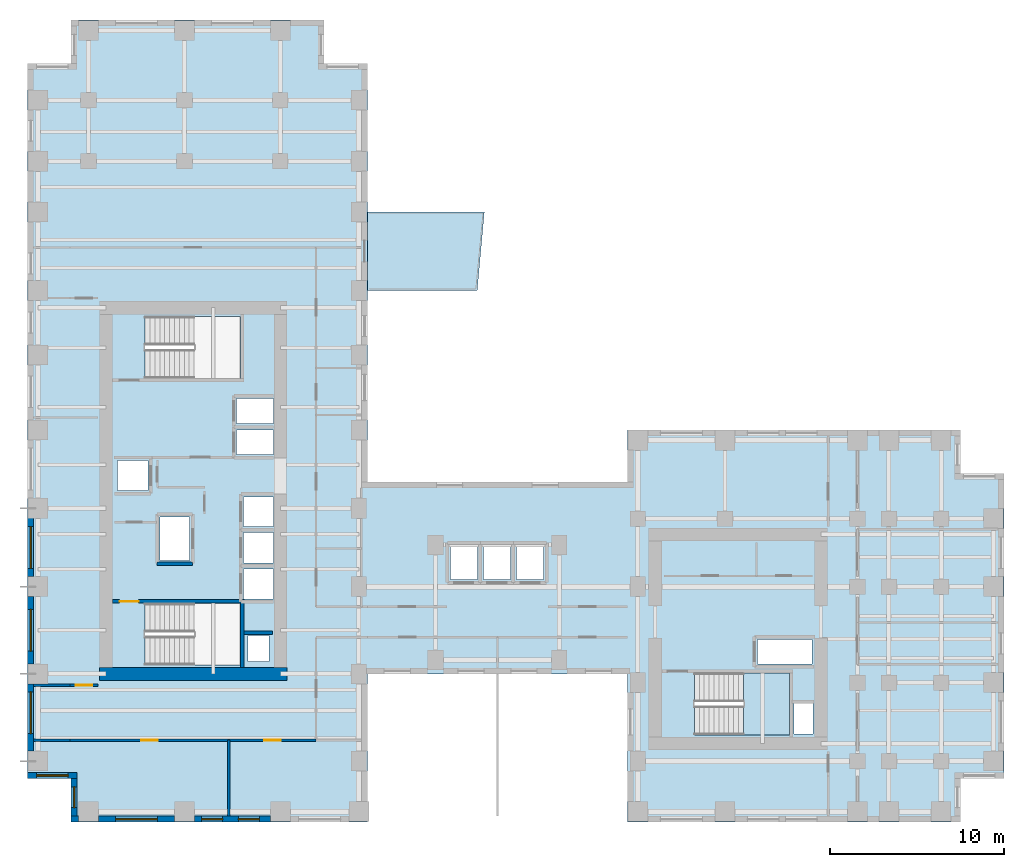
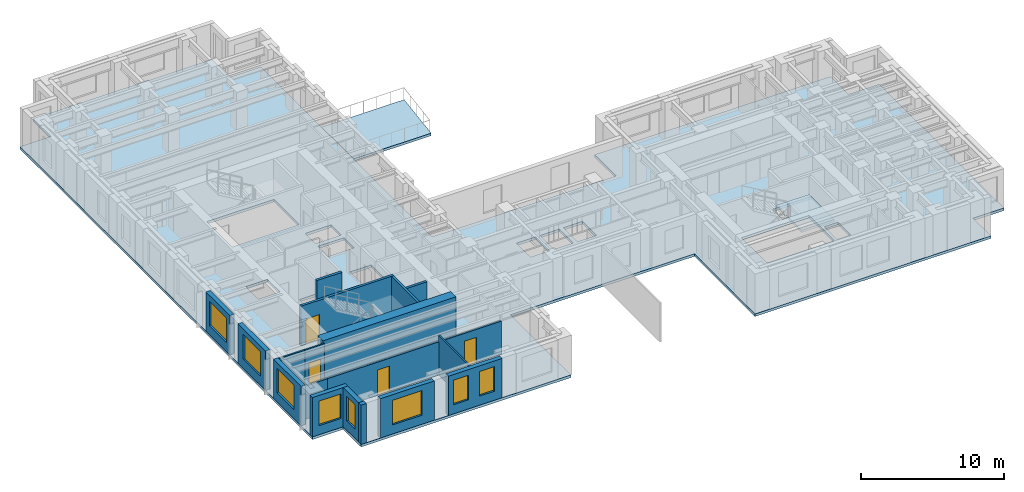
# One storey, part 3 of 11: 19 walls, 8 windows, 4 doors, 3 slabs, 12 openings, 1 element without a shape of its own.
"""IFC4 building model written with IfcOpenShell, lengths in metres."""

import ifcopenshell
import ifcopenshell.guid

model = None  # the IFC model being written
_history = None  # IfcOwnerHistory: only IFC2X3 demands one
_inside = {}  # id of a spatial element -> (the spatial element, [elements in it])
_under = {}  # id of a project, library or spatial element -> (it, [spatial elements below it])
_declared = {}  # id of a project -> (the project, [libraries it declares])
_typed = {}  # id of a type object -> (the type object, [elements of that type])
_made_of = {}  # id of a material, layer set ... -> (it, [elements and type objects made of it])


def new_model(schema):
    """Start an empty IFC model of exactly this schema.

    Asked for "IFC4X3", IfcOpenShell would pick the latest addendum, in which some entities
    have other attributes; the version numbers below select the first issue.
    IFC2X3 requires an IfcOwnerHistory on every rooted entity: one is made here for all.
    """
    global model, _history
    if schema == "IFC4X3":
        model = ifcopenshell.file(schema_version=(4, 3, 0, 0))
    else:
        model = ifcopenshell.file(schema=schema)
    _inside.clear()
    _under.clear()
    _declared.clear()
    _typed.clear()
    _made_of.clear()
    _history = None
    if model.schema == "IFC2X3":
        org = make("IfcOrganization", Name="unknown")
        user = make(
            "IfcPersonAndOrganization",
            ThePerson=make("IfcPerson", FamilyName="unknown"),
            TheOrganization=org,
        )
        app = make(
            "IfcApplication",
            ApplicationDeveloper=org,
            Version="unknown",
            ApplicationFullName="unknown",
            ApplicationIdentifier="unknown",
        )
        _history = make(
            "IfcOwnerHistory",
            OwningUser=user,
            OwningApplication=app,
            ChangeAction="ADDED",
            CreationDate=0,
        )
    return model


def make(cls, **values):
    """One entity of the class cls with the attributes given. An attribute that is None is left unset."""
    return model.create_entity(
        cls, **{name: value for name, value in values.items() if value is not None}
    )


def rooted(cls, **values):
    """An entity with a GlobalId (a new one), such as an element, a storey or a relation."""
    return make(cls, GlobalId=ifcopenshell.guid.new(), OwnerHistory=_history, **values)


def si_unit(unit_type, name, prefix=None):
    """IfcSIUnit, for example si_unit("LENGTHUNIT", "METRE", prefix="MILLI")."""
    return make("IfcSIUnit", UnitType=unit_type, Prefix=prefix, Name=name)


def assignment(units):
    """IfcUnitAssignment: the units of a project."""
    return None if units is None else make("IfcUnitAssignment", Units=units)


def point(xyz):
    """IfcCartesianPoint."""
    return None if xyz is None else make("IfcCartesianPoint", Coordinates=xyz)


def direction(xyz):
    """IfcDirection."""
    return None if xyz is None else make("IfcDirection", DirectionRatios=xyz)


def frame(location, z_axis=None, x_axis=None):
    """IfcAxis2Placement3D, a coordinate frame: its origin and axes. An axis left out is left unset."""
    return make(
        "IfcAxis2Placement3D",
        Location=point(location),
        Axis=direction(z_axis),
        RefDirection=direction(x_axis),
    )


def frame_2d(location, x_axis=None):
    """IfcAxis2Placement2D, a coordinate frame in the plane: its origin and x axis."""
    return make(
        "IfcAxis2Placement2D", Location=point(location), RefDirection=direction(x_axis)
    )


def origin():
    """The frame at (0, 0, 0) with its axes left unset."""
    return frame((0.0, 0.0, 0.0))


def place(relative_to, where):
    """IfcLocalPlacement: puts the frame where relative to a parent placement (None: the world)."""
    return make(
        "IfcLocalPlacement", PlacementRelTo=relative_to, RelativePlacement=where
    )


def context(
    kind, dimensions, precision=None, world=None, true_north=None, identifier=None
):
    """IfcGeometricRepresentationContext, for example the 3D "Model" context."""
    return make(
        "IfcGeometricRepresentationContext",
        ContextIdentifier=identifier,
        ContextType=kind,
        CoordinateSpaceDimension=dimensions,
        Precision=precision,
        WorldCoordinateSystem=world,
        TrueNorth=true_north,
    )


def subcontext(parent, identifier, kind, view, scale=None):
    """IfcGeometricRepresentationSubContext, for example "Body" below "Model"."""
    return make(
        "IfcGeometricRepresentationSubContext",
        ContextIdentifier=identifier,
        ContextType=kind,
        ParentContext=parent,
        TargetScale=scale,
        TargetView=view,
    )


def project(units=None, contexts=None):
    """IfcProject with its units and contexts."""
    return rooted(
        "IfcProject",
        Name="project",
        RepresentationContexts=contexts,
        UnitsInContext=assignment(units),
    )


def spatial(cls, under=None, at=None, **own):
    """A site, building, storey or space (cls), placed at a placement, below another one or the project."""
    s = rooted(cls, ObjectPlacement=at, **own)
    if under is not None:
        _under.setdefault(under.id(), (under, []))[1].append(s)
    return s


def polyline(points):
    """IfcPolyline through the points."""
    return make("IfcPolyline", Points=[point(p) for p in points])


def profile(cls, at=None, kind="AREA", **sizes):
    """A parametric profile (cls). Its sizes go by their IFC names, for example OverallWidth=200.0."""
    return make(cls, ProfileType=kind, Position=at, **sizes)


def rectangle(**sizes):
    """IfcRectangleProfileDef."""
    return profile("IfcRectangleProfileDef", **sizes)


def outline(outer, holes=None, kind="AREA"):
    """IfcArbitraryClosedProfileDef: a profile drawn as a closed curve; with holes, ...WithVoids."""
    if holes is None:
        return make("IfcArbitraryClosedProfileDef", ProfileType=kind, OuterCurve=outer)
    return make(
        "IfcArbitraryProfileDefWithVoids",
        ProfileType=kind,
        OuterCurve=outer,
        InnerCurves=holes,
    )


def extrude(swept, where, along, depth):
    """IfcExtrudedAreaSolid: the profile swept, set in the frame where, extruded along a direction by depth."""
    return make(
        "IfcExtrudedAreaSolid",
        SweptArea=swept,
        Position=where,
        ExtrudedDirection=direction(along),
        Depth=depth,
    )


def shape(context_of_items, identifier, shape_type, items):
    """IfcShapeRepresentation: the items that make up one representation, for example the "Body"."""
    return make(
        "IfcShapeRepresentation",
        ContextOfItems=context_of_items,
        RepresentationIdentifier=identifier,
        RepresentationType=shape_type,
        Items=items,
    )


def source(mapping_origin, context_of_items, identifier, shape_type, items):
    """IfcRepresentationMap: a shape defined once, which mapped items show again and again."""
    return make(
        "IfcRepresentationMap",
        MappingOrigin=mapping_origin,
        MappedRepresentation=shape(context_of_items, identifier, shape_type, items),
    )


def transform(
    local_origin,
    x_axis=None,
    y_axis=None,
    z_axis=None,
    scale=None,
    scale2=None,
    scale3=None,
    uniform=True,
):
    """IfcCartesianTransformationOperator3D, or its non-uniform kind. x_axis, y_axis, z_axis: its Axis1, 2, 3."""
    if uniform:
        return make(
            "IfcCartesianTransformationOperator3D",
            Axis1=direction(x_axis),
            Axis2=direction(y_axis),
            LocalOrigin=point(local_origin),
            Scale=scale,
            Axis3=direction(z_axis),
        )
    return make(
        "IfcCartesianTransformationOperator3DnonUniform",
        Axis1=direction(x_axis),
        Axis2=direction(y_axis),
        LocalOrigin=point(local_origin),
        Scale=scale,
        Axis3=direction(z_axis),
        Scale2=scale2,
        Scale3=scale3,
    )


def mapped(mapping_source, mapping_target):
    """IfcMappedItem: shows the shape of a source again, moved by a transform."""
    return make(
        "IfcMappedItem", MappingSource=mapping_source, MappingTarget=mapping_target
    )


def material(Name=None, Category=None):
    """IfcMaterial."""
    return make("IfcMaterial", Name=Name, Category=Category)


def layer(
    of_material, thickness, ventilated=None, Name=None, Category=None, Priority=None
):
    """IfcMaterialLayer: one layer of a wall or slab, of a material (None: an air gap)."""
    return make(
        "IfcMaterialLayer",
        Material=of_material,
        LayerThickness=thickness,
        IsVentilated=ventilated,
        Name=Name,
        Category=Category,
        Priority=Priority,
    )


def layer_set(layers, Name=None):
    """IfcMaterialLayerSet."""
    return make("IfcMaterialLayerSet", MaterialLayers=layers, LayerSetName=Name)


def made_of(thing, what):
    """Note that an element or type object is made of a material, layer set ...; save() writes the relation."""
    if what is not None:
        _made_of.setdefault(what.id(), (what, []))[1].append(thing)
    return thing


def type_object(cls, material=None, **own):
    """A type object (cls), such as IfcWallType, which elements share."""
    return made_of(rooted(cls, **own), material)


def element(
    cls,
    number,
    at=None,
    inside=None,
    cuts=None,
    type_object=None,
    material=None,
    context=None,
    identifier="Body",
    shape_type=None,
    held_by="IfcProductDefinitionShape",
    body=None,
    shapes=None,
    **own,
):
    """One element of the class cls, such as IfcWall. Its Tag is "e" and its number.

    at: its placement. inside: the storey or other place that contains it. cuts: it is an
    opening in that element (IfcRelVoidsElement). A single representation is given by context,
    identifier, shape_type and body (its items); several are given by shapes. held_by: the class
    of the entity that holds the representations. save() writes the other relations.
    """
    e = rooted(cls, Tag="e%d" % number, ObjectPlacement=at, **own)
    if body is not None:
        shapes = [shape(context, identifier, shape_type, body)]
    if shapes is not None:
        e.Representation = make(held_by, Representations=shapes)
    if inside is not None:
        _inside.setdefault(inside.id(), (inside, []))[1].append(e)
    if cuts is not None:
        rooted(
            "IfcRelVoidsElement", RelatingBuildingElement=cuts, RelatedOpeningElement=e
        )
    if type_object is not None:
        _typed.setdefault(type_object.id(), (type_object, []))[1].append(e)
    return made_of(e, material)


def fill(opening, filler):
    """IfcRelFillsElement: the door or window that sits in an opening."""
    return rooted(
        "IfcRelFillsElement",
        RelatingOpeningElement=opening,
        RelatedBuildingElement=filler,
    )


def aggregate(whole, parts):
    """IfcRelAggregates: a whole, such as a stair, and the parts it consists of."""
    return rooted("IfcRelAggregates", RelatingObject=whole, RelatedObjects=parts)


def save(model, path):
    """Write the relations noted so far, then the file.

    IfcRelAggregates (storeys below a building ...), IfcRelContainedInSpatialStructure (elements
    in a storey), IfcRelDefinesByType, IfcRelAssociatesMaterial and IfcRelDeclares: one each for
    every whole, place, type object, material and project.
    """
    for whole, parts in _under.values():
        aggregate(whole, parts)
    for where, things in _inside.values():
        rooted(
            "IfcRelContainedInSpatialStructure",
            RelatedElements=things,
            RelatingStructure=where,
        )
    for kind, things in _typed.values():
        rooted("IfcRelDefinesByType", RelatedObjects=things, RelatingType=kind)
    for what, things in _made_of.values():
        rooted("IfcRelAssociatesMaterial", RelatedObjects=things, RelatingMaterial=what)
    for by, libraries in _declared.values():
        rooted("IfcRelDeclares", RelatingContext=by, RelatedDefinitions=libraries)
    model.write(path)


model = new_model("IFC4")

# Units and contexts
model_context = context("Model", 3, precision=1e-05, world=origin(), true_north=direction((0.0, 1.0)))
body_context = subcontext(model_context, "Body", "Model", "MODEL_VIEW")
ifc_project = project(units=[si_unit("LENGTHUNIT", "METRE"), si_unit("AREAUNIT", "SQUARE_METRE"), si_unit("VOLUMEUNIT", "CUBIC_METRE"), si_unit("PLANEANGLEUNIT", "RADIAN"), si_unit("MASSUNIT", "GRAM", prefix="KILO")], contexts=[model_context])

# Site, building, storey
site_placement = place(None, origin())
site = spatial("IfcSite", under=ifc_project, at=site_placement, CompositionType="ELEMENT")
building_placement = place(site_placement, origin())
building = spatial("IfcBuilding", under=site, at=building_placement, Name="Kharzan Plaza Tower", CompositionType="ELEMENT")
storey_placement = place(building_placement, frame((0.0, 0.0, 99.0)))
storey = spatial("IfcBuildingStorey", under=building, at=storey_placement, Name="L26", CompositionType="ELEMENT", Elevation=99.0)

# Slab
ifc_material_1 = material(Name="Concrete C40/50", Category="concrete")
ifc_layer_1 = layer(ifc_material_1, 0.219970703125)
ifc_layer_set_1 = layer_set([ifc_layer_1], Name="Concrete C40/50")
slab_type_1 = type_object("IfcSlabType", Name="SL-FLOOR-220", PredefinedType="FLOOR", material=ifc_layer_set_1)
slab_1_placement = place(storey_placement, frame((0.0, 0.0, -0.219970703125)))
element("IfcSlab", 1, at=slab_1_placement, inside=storey, type_object=slab_type_1, Name="L26 Composite Structural Floor Slab 220 mm", PredefinedType="FLOOR", context=body_context, shape_type="SweptSolid", body=[
    extrude(outline(polyline([(34.39990234375, 19.5), (19.5, 19.5), (19.5, 43.5), (17.0, 43.5), (17.0, 46.0), (2.5, 46.0), (2.5, 43.5), (0.0, 43.5), (0.0, 2.5), (2.5, 2.5), (2.5, 0.0), (19.5, 0.0), (19.5, 8.5), (34.39990234375, 8.5), (34.39990234375, 0.0), (53.5, 0.0), (53.5, 2.5), (56.0, 2.5), (56.0, 20.0), (53.5, 20.0), (53.5, 22.5), (34.39990234375, 22.5), (34.39990234375, 19.5)]), holes=[polyline([(12.199951171875, 9.0), (12.199951171875, 12.550048828125), (6.75, 12.550048828125), (6.75, 9.0), (12.199951171875, 9.0)]), polyline([(14.10009765625, 12.800048828125), (14.10009765625, 14.530029296875), (12.39990234375, 14.530029296875), (12.39990234375, 12.800048828125), (14.10009765625, 12.800048828125)]), polyline([(14.10009765625, 14.8701171875), (14.10009765625, 16.60009765625), (12.39990234375, 16.60009765625), (12.39990234375, 14.8701171875), (14.10009765625, 14.8701171875)]), polyline([(9.300048828125, 15.0), (9.300048828125, 17.5), (7.60009765625, 17.5), (7.60009765625, 15.0), (9.300048828125, 15.0)]), polyline([(6.89990234375, 19.010009765625), (6.89990234375, 20.72998046875), (5.14990234375, 20.72998046875), (5.14990234375, 19.010009765625), (6.89990234375, 19.010009765625)]), polyline([(14.10009765625, 21.070068359375), (14.10009765625, 22.489990234375), (12.0, 22.489990234375), (12.0, 21.070068359375), (14.10009765625, 21.070068359375)]), polyline([(14.10009765625, 22.8701171875), (14.10009765625, 24.2900390625), (12.0, 24.2900390625), (12.0, 22.8701171875), (14.10009765625, 22.8701171875)]), polyline([(12.199951171875, 25.449951171875), (12.199951171875, 29.0), (6.75, 29.0), (6.75, 25.449951171875), (12.199951171875, 25.449951171875)]), polyline([(45.050048828125, 5.050048828125), (45.050048828125, 6.800048828125), (43.949951171875, 6.800048828125), (43.949951171875, 5.050048828125), (45.050048828125, 5.050048828125)]), polyline([(43.699951171875, 5.0), (43.699951171875, 8.550048828125), (38.25, 8.550048828125), (38.25, 5.0), (43.699951171875, 5.0)]), polyline([(45.0, 9.070068359375), (45.0, 10.469970703125), (41.85009765625, 10.469970703125), (41.85009765625, 9.070068359375), (45.0, 9.070068359375)]), polyline([(13.85009765625, 9.199951171875), (13.85009765625, 10.699951171875), (12.64990234375, 10.699951171875), (12.64990234375, 9.199951171875), (13.85009765625, 9.199951171875)]), polyline([(25.800048828125, 13.89990234375), (25.800048828125, 15.85009765625), (24.25, 15.85009765625), (24.25, 13.89990234375), (25.800048828125, 13.89990234375)]), polyline([(27.699951171875, 13.89990234375), (27.699951171875, 15.85009765625), (26.14990234375, 15.85009765625), (26.14990234375, 13.89990234375), (27.699951171875, 13.89990234375)]), polyline([(29.60009765625, 13.89990234375), (29.60009765625, 15.85009765625), (28.050048828125, 15.85009765625), (28.050048828125, 13.89990234375), (29.60009765625, 13.89990234375)]), polyline([(14.10009765625, 16.93994140625), (14.10009765625, 18.64990234375), (12.39990234375, 18.64990234375), (12.39990234375, 16.93994140625), (14.10009765625, 16.93994140625)])]), origin(), (0.0, 0.0, 1.0), 0.219970703125),
])

# Stair, slab
stair_type = type_object("IfcStairType", Name="STR-ST-3", PredefinedType="HALF_TURN_STAIR", material=ifc_material_1)
stair_placement = place(storey_placement, origin())
stair = element("IfcStair", 2, at=stair_placement, inside=storey, type_object=stair_type, Name="L26 Protected Exit Stair ST-3", PredefinedType="HALF_TURN_STAIR")
ifc_layer_2 = layer(ifc_material_1, 0.219970703125)
ifc_layer_set_2 = layer_set([ifc_layer_2], Name="Concrete C40/50")
slab_type_2 = type_object("IfcSlabType", Name="SL-LANDING-220", PredefinedType="LANDING", material=ifc_layer_set_2)
slab_2_placement = place(storey_placement, frame((0.0, 0.0, 1.60009765625)))
slab_2 = element("IfcSlab", 3, at=slab_2_placement, type_object=slab_type_2, Name="ST-3 landing 1", PredefinedType="LANDING", context=body_context, shape_type="SweptSolid", body=[
    extrude(outline(polyline([(41.050048828125, 5.0), (43.699951171875, 5.0), (43.699951171875, 8.550048828125), (41.050048828125, 8.550048828125), (41.050048828125, 5.0)])), origin(), (0.0, 0.0, 1.0), 0.199951171875),
])
aggregate(stair, [slab_2])

# Slab
ifc_layer_3 = layer(ifc_material_1, 0.215087890625)
ifc_layer_set_3 = layer_set([ifc_layer_3], Name="Concrete C40/50")
slab_type_3 = type_object("IfcSlabType", Name="SL-TRAY-215", PredefinedType="ROOF", material=ifc_layer_set_3)
slab_3_placement = place(storey_placement, frame((0.0, 0.0, -0.215087890625)))
element("IfcSlab", 4, at=slab_3_placement, inside=storey, type_object=slab_type_3, Name="L26 Sky Terrace Tray Slab", PredefinedType="ROOF", context=body_context, shape_type="SweptSolid", body=[
    extrude(outline(polyline([(19.5, 30.5), (25.7900390625, 30.5), (26.199951171875, 35.0), (19.5, 35.0), (19.5, 30.5)])), origin(), (0.0, 0.0, 1.0), 0.215087890625),
])

# Wall, opening, window
ifc_layer_4 = layer(ifc_material_1, 0.35009765625)
ifc_layer_set_4 = layer_set([ifc_layer_4], Name="Concrete C40/50")
wall_type_1 = type_object("IfcWallType", Name="WL-EXT-MAS-Z2", PredefinedType="SOLIDWALL", material=ifc_layer_set_4)
wall_1_placement = place(storey_placement, frame((0.175048828125, 17.427001953125, 0.0), z_axis=(0.0, 0.0, 1.0), x_axis=(0.0, -1.0, 0.0)))
wall_1 = element("IfcWall", 5, at=wall_1_placement, inside=storey, type_object=wall_type_1, Name="L26 Masonry-Frame Exterior Wall 23", PredefinedType="SOLIDWALL", context=body_context, shape_type="SweptSolid", body=[
    extrude(rectangle(XDim=3.35400390625, YDim=0.35009765625, at=frame_2d((1.677001953125, 0.0))), origin(), (0.0, 0.0, 1.0), 3.364990234375),
])
opening_1_placement = place(wall_1_placement, frame((0.47705078125, 0.0, 0.780029296875)))
opening_1 = element("IfcOpeningElement", 6, at=opening_1_placement, cuts=wall_1, Name="Opening W2", PredefinedType="OPENING", context=body_context, shape_type="SweptSolid", body=[
    extrude(rectangle(XDim=2.39990234375, YDim=2.10009765625, at=frame_2d((1.199951171875, 1.050048828125))), frame((0.0, 0.18505859375, 0.0), z_axis=(0.0, -1.0, 0.0), x_axis=(1.0, 0.0, 0.0)), (0.0, 0.0, 1.0), 0.3701171875),
])
ifc_material_2 = material(Name="Low-E Double Glazing", Category="glass")
window_type_1 = type_object("IfcWindowType", Name="WN-REC-2400x2100", PartitioningType="SINGLE_PANEL", PredefinedType="WINDOW", material=ifc_material_2)
shared_shape_1 = source(origin(), body_context, "Body", "SweptSolid", [
    extrude(rectangle(XDim=2.39990234375, YDim=2.10009765625, at=frame_2d((1.199951171875, 1.050048828125))), frame((0.0, 0.030029296875, 0.0), z_axis=(0.0, -1.0, 0.0), x_axis=(1.0, 0.0, 0.0)), (0.0, 0.0, 1.0), 0.06005859375),
])
window_1_placement = place(opening_1_placement, origin())
window_1 = element("IfcWindow", 7, at=window_1_placement, inside=storey, type_object=window_type_1, Name="L26 Wide Recessed Solar-Control Window 23-1", OverallHeight=2.10009765625, OverallWidth=2.39990234375, PartitioningType="SINGLE_PANEL", PredefinedType="WINDOW", context=body_context, shape_type="MappedRepresentation", body=[
    mapped(shared_shape_1, transform((0.0, 0.0, 0.0), x_axis=(1.0, 0.0, 0.0), y_axis=(0.0, 1.0, 0.0), z_axis=(0.0, 0.0, 1.0))),
])
fill(opening_1, window_1)

wall_2_placement = place(storey_placement, frame((0.175048828125, 12.927001953125, 0.0), z_axis=(0.0, 0.0, 1.0), x_axis=(0.0, -1.0, 0.0)))
wall_2 = element("IfcWall", 8, at=wall_2_placement, inside=storey, type_object=wall_type_1, Name="L26 Masonry-Frame Exterior Wall 24", PredefinedType="SOLIDWALL", context=body_context, shape_type="SweptSolid", body=[
    extrude(rectangle(XDim=3.85400390625, YDim=0.35009765625, at=frame_2d((1.927001953125, 0.0))), origin(), (0.0, 0.0, 1.0), 3.364990234375),
])
opening_2_placement = place(wall_2_placement, frame((0.72705078125, 0.0, 0.780029296875)))
opening_2 = element("IfcOpeningElement", 9, at=opening_2_placement, cuts=wall_2, Name="Opening W2", PredefinedType="OPENING", context=body_context, shape_type="SweptSolid", body=[
    extrude(rectangle(XDim=2.39990234375, YDim=2.10009765625, at=frame_2d((1.199951171875, 1.050048828125))), frame((0.0, 0.18505859375, 0.0), z_axis=(0.0, -1.0, 0.0), x_axis=(1.0, 0.0, 0.0)), (0.0, 0.0, 1.0), 0.3701171875),
])
window_2_placement = place(opening_2_placement, origin())
window_2 = element("IfcWindow", 10, at=window_2_placement, inside=storey, type_object=window_type_1, Name="L26 Wide Recessed Solar-Control Window 24-1", OverallHeight=2.10009765625, OverallWidth=2.39990234375, PartitioningType="SINGLE_PANEL", PredefinedType="WINDOW", context=body_context, shape_type="MappedRepresentation", body=[
    mapped(shared_shape_1, transform((0.0, 0.0, 0.0), x_axis=(1.0, 0.0, 0.0), y_axis=(0.0, 1.0, 0.0), z_axis=(0.0, 0.0, 1.0))),
])
fill(opening_2, window_2)

wall_3_placement = place(storey_placement, frame((0.175048828125, 7.927001953125, 0.0), z_axis=(0.0, 0.0, 1.0), x_axis=(0.0, -1.0, 0.0)))
wall_3 = element("IfcWall", 11, at=wall_3_placement, inside=storey, type_object=wall_type_1, Name="L26 Masonry-Frame Exterior Wall 25", PredefinedType="SOLIDWALL", context=body_context, shape_type="SweptSolid", body=[
    extrude(rectangle(XDim=3.85400390625, YDim=0.35009765625, at=frame_2d((1.927001953125, 0.0))), origin(), (0.0, 0.0, 1.0), 3.364990234375),
])
opening_3_placement = place(wall_3_placement, frame((0.451904296875, 0.0, 0.780029296875)))
opening_3 = element("IfcOpeningElement", 12, at=opening_3_placement, cuts=wall_3, Name="Opening W2", PredefinedType="OPENING", context=body_context, shape_type="SweptSolid", body=[
    extrude(rectangle(XDim=2.39990234375, YDim=2.10009765625, at=frame_2d((1.199951171875, 1.050048828125))), frame((0.0, 0.18505859375, 0.0), z_axis=(0.0, -1.0, 0.0), x_axis=(1.0, 0.0, 0.0)), (0.0, 0.0, 1.0), 0.3701171875),
])
window_3_placement = place(opening_3_placement, origin())
window_3 = element("IfcWindow", 13, at=window_3_placement, inside=storey, type_object=window_type_1, Name="L26 Wide Recessed Solar-Control Window 25-1", OverallHeight=2.10009765625, OverallWidth=2.39990234375, PartitioningType="SINGLE_PANEL", PredefinedType="WINDOW", context=body_context, shape_type="MappedRepresentation", body=[
    mapped(shared_shape_1, transform((0.0, 0.0, 0.0), x_axis=(1.0, 0.0, 0.0), y_axis=(0.0, 1.0, 0.0), z_axis=(0.0, 0.0, 1.0))),
])
fill(opening_3, window_3)

wall_4_placement = place(storey_placement, frame((0.0, 2.675048828125, 0.0), z_axis=(0.0, 0.0, 1.0), x_axis=(1.0, 0.0, 0.0)))
wall_4 = element("IfcWall", 14, at=wall_4_placement, inside=storey, type_object=wall_type_1, Name="L26 Masonry-Frame Exterior Wall 26", PredefinedType="SOLIDWALL", context=body_context, shape_type="SweptSolid", body=[
    extrude(rectangle(XDim=2.85009765625, YDim=0.35009765625, at=frame_2d((1.425048828125, 0.0))), origin(), (0.0, 0.0, 1.0), 3.364990234375),
])
opening_4_placement = place(wall_4_placement, frame((0.52490234375, 0.0, 0.780029296875)))
opening_4 = element("IfcOpeningElement", 15, at=opening_4_placement, cuts=wall_4, Name="Opening W1", PredefinedType="OPENING", context=body_context, shape_type="SweptSolid", body=[
    extrude(rectangle(XDim=1.800048828125, YDim=2.10009765625, at=frame_2d((0.89990234375, 1.050048828125))), frame((0.0, 0.18505859375, 0.0), z_axis=(0.0, -1.0, 0.0), x_axis=(1.0, 0.0, 0.0)), (0.0, 0.0, 1.0), 0.3701171875),
])
window_type_2 = type_object("IfcWindowType", Name="WN-REC-1800x2100", PartitioningType="SINGLE_PANEL", PredefinedType="WINDOW", material=ifc_material_2)
shared_shape_2 = source(origin(), body_context, "Body", "SweptSolid", [
    extrude(rectangle(XDim=1.800048828125, YDim=2.10009765625, at=frame_2d((0.89990234375, 1.050048828125))), frame((0.0, 0.030029296875, 0.0), z_axis=(0.0, -1.0, 0.0), x_axis=(1.0, 0.0, 0.0)), (0.0, 0.0, 1.0), 0.06005859375),
])
window_4_placement = place(opening_4_placement, origin())
window_4 = element("IfcWindow", 16, at=window_4_placement, inside=storey, type_object=window_type_2, Name="L26 Recessed Solar-Control Window 26-1", OverallHeight=2.10009765625, OverallWidth=1.800048828125, PartitioningType="SINGLE_PANEL", PredefinedType="WINDOW", context=body_context, shape_type="MappedRepresentation", body=[
    mapped(shared_shape_2, transform((0.0, 0.0, 0.0), x_axis=(1.0, 0.0, 0.0), y_axis=(0.0, 1.0, 0.0), z_axis=(0.0, 0.0, 1.0))),
])
fill(opening_4, window_4)

wall_5_placement = place(storey_placement, frame((2.675048828125, 2.501953125, 0.0), z_axis=(0.0, 0.0, 1.0), x_axis=(0.0, -1.0, 0.0)))
wall_5 = element("IfcWall", 17, at=wall_5_placement, inside=storey, type_object=wall_type_1, Name="L26 Masonry-Frame Exterior Wall 27", PredefinedType="SOLIDWALL", context=body_context, shape_type="SweptSolid", body=[
    extrude(rectangle(XDim=2.154052734375, YDim=0.35009765625, at=frame_2d((1.0771484375, 0.0))), origin(), (0.0, 0.0, 1.0), 3.364990234375),
])
opening_5_placement = place(wall_5_placement, frame((0.47705078125, 0.0, 0.780029296875)))
opening_5 = element("IfcOpeningElement", 18, at=opening_5_placement, cuts=wall_5, Name="Opening W3", PredefinedType="OPENING", context=body_context, shape_type="SweptSolid", body=[
    extrude(rectangle(XDim=1.199951171875, YDim=2.10009765625, at=frame_2d((0.60009765625, 1.050048828125))), frame((0.0, 0.18505859375, 0.0), z_axis=(0.0, -1.0, 0.0), x_axis=(1.0, 0.0, 0.0)), (0.0, 0.0, 1.0), 0.3701171875),
])
window_type_3 = type_object("IfcWindowType", Name="WN-REC-1200x2100", PartitioningType="SINGLE_PANEL", PredefinedType="WINDOW", material=ifc_material_2)
shared_shape_3 = source(origin(), body_context, "Body", "SweptSolid", [
    extrude(rectangle(XDim=1.199951171875, YDim=2.10009765625, at=frame_2d((0.60009765625, 1.050048828125))), frame((0.0, 0.030029296875, 0.0), z_axis=(0.0, -1.0, 0.0), x_axis=(1.0, 0.0, 0.0)), (0.0, 0.0, 1.0), 0.06005859375),
])
window_5_placement = place(opening_5_placement, origin())
window_5 = element("IfcWindow", 19, at=window_5_placement, inside=storey, type_object=window_type_3, Name="L26 Recessed Solar-Control Window 27-1", OverallHeight=2.10009765625, OverallWidth=1.199951171875, PartitioningType="SINGLE_PANEL", PredefinedType="WINDOW", context=body_context, shape_type="MappedRepresentation", body=[
    mapped(shared_shape_3, transform((0.0, 0.0, 0.0), x_axis=(1.0, 0.0, 0.0), y_axis=(0.0, 1.0, 0.0), z_axis=(0.0, 0.0, 1.0))),
])
fill(opening_5, window_5)

wall_6_placement = place(storey_placement, frame((4.072998046875, 0.175048828125, 0.0), z_axis=(0.0, 0.0, 1.0), x_axis=(1.0, 0.0, 0.0)))
wall_6 = element("IfcWall", 20, at=wall_6_placement, inside=storey, type_object=wall_type_1, Name="L26 Masonry-Frame Exterior Wall 29", PredefinedType="SOLIDWALL", context=body_context, shape_type="SweptSolid", body=[
    extrude(rectangle(XDim=4.35400390625, YDim=0.35009765625, at=frame_2d((2.177001953125, 0.0))), origin(), (0.0, 0.0, 1.0), 3.364990234375),
])
opening_6_placement = place(wall_6_placement, frame((0.97705078125, 0.0, 0.780029296875)))
opening_6 = element("IfcOpeningElement", 21, at=opening_6_placement, cuts=wall_6, Name="Opening W2", PredefinedType="OPENING", context=body_context, shape_type="SweptSolid", body=[
    extrude(rectangle(XDim=2.39990234375, YDim=2.10009765625, at=frame_2d((1.199951171875, 1.050048828125))), frame((0.0, 0.18505859375, 0.0), z_axis=(0.0, -1.0, 0.0), x_axis=(1.0, 0.0, 0.0)), (0.0, 0.0, 1.0), 0.3701171875),
])
window_6_placement = place(opening_6_placement, origin())
window_6 = element("IfcWindow", 22, at=window_6_placement, inside=storey, type_object=window_type_1, Name="L26 Wide Recessed Solar-Control Window 29-1", OverallHeight=2.10009765625, OverallWidth=2.39990234375, PartitioningType="SINGLE_PANEL", PredefinedType="WINDOW", context=body_context, shape_type="MappedRepresentation", body=[
    mapped(shared_shape_1, transform((0.0, 0.0, 0.0), x_axis=(1.0, 0.0, 0.0), y_axis=(0.0, 1.0, 0.0), z_axis=(0.0, 0.0, 1.0))),
])
fill(opening_6, window_6)

# Wall, openings, windows
wall_7_placement = place(storey_placement, frame((9.572998046875, 0.175048828125, 0.0), z_axis=(0.0, 0.0, 1.0), x_axis=(1.0, 0.0, 0.0)))
wall_7 = element("IfcWall", 23, at=wall_7_placement, inside=storey, type_object=wall_type_1, Name="L26 Masonry-Frame Exterior Wall 30", PredefinedType="SOLIDWALL", context=body_context, shape_type="SweptSolid", body=[
    extrude(rectangle(XDim=4.35400390625, YDim=0.35009765625, at=frame_2d((2.177001953125, 0.0))), origin(), (0.0, 0.0, 1.0), 3.364990234375),
])
opening_7_placement = place(wall_7_placement, frame((0.4169921875, 0.0, 0.780029296875)))
opening_7 = element("IfcOpeningElement", 24, at=opening_7_placement, cuts=wall_7, Name="Opening W3", PredefinedType="OPENING", context=body_context, shape_type="SweptSolid", body=[
    extrude(rectangle(XDim=1.199951171875, YDim=2.10009765625, at=frame_2d((0.60009765625, 1.050048828125))), frame((0.0, 0.18505859375, 0.0), z_axis=(0.0, -1.0, 0.0), x_axis=(1.0, 0.0, 0.0)), (0.0, 0.0, 1.0), 0.3701171875),
])
opening_8_placement = place(wall_7_placement, frame((2.52392578125, 0.0, 0.780029296875)))
opening_8 = element("IfcOpeningElement", 25, at=opening_8_placement, cuts=wall_7, Name="Opening W3", PredefinedType="OPENING", context=body_context, shape_type="SweptSolid", body=[
    extrude(rectangle(XDim=1.199951171875, YDim=2.10009765625, at=frame_2d((0.60009765625, 1.050048828125))), frame((0.0, 0.18505859375, 0.0), z_axis=(0.0, -1.0, 0.0), x_axis=(1.0, 0.0, 0.0)), (0.0, 0.0, 1.0), 0.3701171875),
])
window_7_placement = place(opening_7_placement, origin())
window_7 = element("IfcWindow", 26, at=window_7_placement, inside=storey, type_object=window_type_3, Name="L26 Recessed Solar-Control Window 30-1", OverallHeight=2.10009765625, OverallWidth=1.199951171875, PartitioningType="SINGLE_PANEL", PredefinedType="WINDOW", context=body_context, shape_type="MappedRepresentation", body=[
    mapped(shared_shape_3, transform((0.0, 0.0, 0.0), x_axis=(1.0, 0.0, 0.0), y_axis=(0.0, 1.0, 0.0), z_axis=(0.0, 0.0, 1.0))),
])
fill(opening_7, window_7)
window_8_placement = place(opening_8_placement, origin())
window_8 = element("IfcWindow", 27, at=window_8_placement, inside=storey, type_object=window_type_3, Name="L26 Recessed Solar-Control Window 30-2", OverallHeight=2.10009765625, OverallWidth=1.199951171875, PartitioningType="SINGLE_PANEL", PredefinedType="WINDOW", context=body_context, shape_type="MappedRepresentation", body=[
    mapped(shared_shape_3, transform((0.0, 0.0, 0.0), x_axis=(1.0, 0.0, 0.0), y_axis=(0.0, 1.0, 0.0), z_axis=(0.0, 0.0, 1.0))),
])
fill(opening_8, window_8)

# Wall, opening, door
ifc_material_3 = material(Name="Fire-Rated Gypsum Board Partition", Category="gypsum")
ifc_layer_5 = layer(ifc_material_3, 0.125)
ifc_layer_set_5 = layer_set([ifc_layer_5], Name="Fire-Rated Gypsum Board Partition")
wall_type_2 = type_object("IfcWallType", Name="WL-INT-PART-125", PredefinedType="PARTITIONING", material=ifc_layer_set_5)
wall_8_placement = place(storey_placement, frame((2.449951171875, 7.85009765625, 0.0), z_axis=(0.0, 0.0, 1.0), x_axis=(1.0, 0.0, 0.0)))
wall_8 = element("IfcWall", 28, at=wall_8_placement, inside=storey, type_object=wall_type_2, Name="L26 Interior Partition SH-RWSD", PredefinedType="PARTITIONING", context=body_context, shape_type="SweptSolid", body=[
    extrude(rectangle(XDim=1.60009765625, YDim=0.125, at=frame_2d((0.800048828125, 0.0))), origin(), (0.0, 0.0, 1.0), 3.364990234375),
])
opening_9_placement = place(wall_8_placement, frame((0.324951171875, 0.0, 0.0)))
opening_9 = element("IfcOpeningElement", 29, at=opening_9_placement, cuts=wall_8, Name="Opening OD1", PredefinedType="OPENING", context=body_context, shape_type="SweptSolid", body=[
    extrude(rectangle(XDim=0.949951171875, YDim=2.14990234375, at=frame_2d((0.47509765625, 1.074951171875))), frame((0.0, 0.072509765625, 0.0), z_axis=(0.0, -1.0, 0.0), x_axis=(1.0, 0.0, 0.0)), (0.0, 0.0, 1.0), 0.14501953125),
])
ifc_material_4 = material(Name="Acoustic Solid-Core Stained Oak", Category="timber")
door_type_1 = type_object("IfcDoorType", Name="DR-OFF-SINGLE", OperationType="NOTDEFINED", PredefinedType="DOOR", material=ifc_material_4)
shared_shape_4 = source(origin(), body_context, "Body", "SweptSolid", [
    extrude(rectangle(XDim=0.949951171875, YDim=2.14990234375, at=frame_2d((0.47509765625, 1.074951171875))), frame((0.0, 0.02490234375, 0.0), z_axis=(0.0, -1.0, 0.0), x_axis=(1.0, 0.0, 0.0)), (0.0, 0.0, 1.0), 0.050048828125),
])
door_1_placement = place(opening_9_placement, origin())
door_1 = element("IfcDoor", 30, at=door_1_placement, inside=storey, type_object=door_type_1, Name="L26 West Office 1 Door", OperationType="SINGLE_SWING_LEFT", OverallHeight=2.14990234375, OverallWidth=0.949951171875, PredefinedType="DOOR", context=body_context, shape_type="MappedRepresentation", body=[
    mapped(shared_shape_4, transform((0.0, 0.0, 0.0), x_axis=(1.0, 0.0, 0.0), y_axis=(0.0, 1.0, 0.0), z_axis=(0.0, 0.0, 1.0))),
])
fill(opening_9, door_1)

wall_9_placement = place(storey_placement, frame((2.449951171875, 4.699951171875, 0.0), z_axis=(0.0, 0.0, 1.0), x_axis=(1.0, 0.0, 0.0)))
wall_9 = element("IfcWall", 31, at=wall_9_placement, inside=storey, type_object=wall_type_2, Name="L26 Interior Partition SH-SS-1", PredefinedType="PARTITIONING", context=body_context, shape_type="SweptSolid", body=[
    extrude(rectangle(XDim=9.087158203125, YDim=0.125, at=frame_2d((4.54345703125, 0.0))), origin(), (0.0, 0.0, 1.0), 2.827880859375),
])
opening_10_placement = place(wall_9_placement, frame((4.068603515625, 0.0, 0.0)))
opening_10 = element("IfcOpeningElement", 32, at=opening_10_placement, cuts=wall_9, Name="Opening OD1", PredefinedType="OPENING", context=body_context, shape_type="SweptSolid", body=[
    extrude(rectangle(XDim=0.949951171875, YDim=2.14990234375, at=frame_2d((0.47509765625, 1.074951171875))), frame((0.0, 0.072509765625, 0.0), z_axis=(0.0, -1.0, 0.0), x_axis=(1.0, 0.0, 0.0)), (0.0, 0.0, 1.0), 0.14501953125),
])
door_2_placement = place(opening_10_placement, origin())
door_2 = element("IfcDoor", 33, at=door_2_placement, inside=storey, type_object=door_type_1, Name="L26 Executive Conference Room Door", OperationType="SINGLE_SWING_LEFT", OverallHeight=2.14990234375, OverallWidth=0.949951171875, PredefinedType="DOOR", context=body_context, shape_type="MappedRepresentation", body=[
    mapped(shared_shape_4, transform((0.0, 0.0, 0.0), x_axis=(1.0, 0.0, 0.0), y_axis=(0.0, 1.0, 0.0), z_axis=(0.0, 0.0, 1.0))),
])
fill(opening_10, door_2)

wall_10_placement = place(storey_placement, frame((11.537109375, 4.699951171875, 0.0), z_axis=(0.0, 0.0, 1.0), x_axis=(1.0, 0.0, 0.0)))
wall_10 = element("IfcWall", 34, at=wall_10_placement, inside=storey, type_object=wall_type_2, Name="L26 Interior Partition SH-SS-2", PredefinedType="PARTITIONING", context=body_context, shape_type="SweptSolid", body=[
    extrude(rectangle(XDim=5.012939453125, YDim=0.125, at=frame_2d((2.50634765625, 0.0))), origin(), (0.0, 0.0, 1.0), 2.827880859375),
])
opening_11_placement = place(wall_10_placement, frame((2.031494140625, 0.0, 0.0)))
opening_11 = element("IfcOpeningElement", 35, at=opening_11_placement, cuts=wall_10, Name="Opening OD1", PredefinedType="OPENING", context=body_context, shape_type="SweptSolid", body=[
    extrude(rectangle(XDim=0.949951171875, YDim=2.14990234375, at=frame_2d((0.47509765625, 1.074951171875))), frame((0.0, 0.072509765625, 0.0), z_axis=(0.0, -1.0, 0.0), x_axis=(1.0, 0.0, 0.0)), (0.0, 0.0, 1.0), 0.14501953125),
])
door_3_placement = place(opening_11_placement, origin())
door_3 = element("IfcDoor", 36, at=door_3_placement, inside=storey, type_object=door_type_1, Name="L26 Client Advisory Meeting Room Door", OperationType="SINGLE_SWING_RIGHT", OverallHeight=2.14990234375, OverallWidth=0.949951171875, PredefinedType="DOOR", context=body_context, shape_type="MappedRepresentation", body=[
    mapped(shared_shape_4, transform((0.0, 0.0, 0.0), x_axis=(1.0, 0.0, 0.0), y_axis=(0.0, 1.0, 0.0), z_axis=(0.0, 0.0, 1.0))),
])
fill(opening_11, door_3)

ifc_material_5 = material(Name="Concrete C50/60", Category="concrete")
ifc_layer_6 = layer(ifc_material_5, 0.199951171875)
ifc_layer_set_6 = layer_set([ifc_layer_6], Name="Concrete C50/60")
wall_type_3 = type_object("IfcWallType", Name="WL-SHAFT-RC200", PredefinedType="SHEAR", material=ifc_layer_set_6)
wall_11_placement = place(storey_placement, frame((4.876953125, 12.655029296875, 0.0), z_axis=(0.0, 0.0, 1.0), x_axis=(1.0, 0.0, 0.0)))
wall_11 = element("IfcWall", 37, at=wall_11_placement, inside=storey, type_object=wall_type_3, Name="L26 Stair ST-1 North RC Shaft Wall", PredefinedType="SHEAR", context=body_context, shape_type="SweptSolid", body=[
    extrude(rectangle(XDim=7.528076171875, YDim=0.199951171875, at=frame_2d((3.76416015625, 0.0))), origin(), (0.0, 0.0, 1.0), 3.3798828125),
])
opening_12_placement = place(wall_11_placement, frame((0.39990234375, 0.0, 0.0)))
opening_12 = element("IfcOpeningElement", 38, at=opening_12_placement, cuts=wall_11, Name="Opening SD1", PredefinedType="OPENING", context=body_context, shape_type="SweptSolid", body=[
    extrude(rectangle(XDim=1.10009765625, YDim=2.14990234375, at=frame_2d((0.550048828125, 1.074951171875))), frame((0.0, 0.10986328125, 0.0), z_axis=(0.0, -1.0, 0.0), x_axis=(1.0, 0.0, 0.0)), (0.0, 0.0, 1.0), 0.219970703125),
])
ifc_material_6 = material(Name="Fire-Rated Hollow Galvanized Steel", Category="steel")
door_type_2 = type_object("IfcDoorType", Name="DR-STAIR-FD120", OperationType="NOTDEFINED", PredefinedType="DOOR", material=ifc_material_6)
shared_shape_5 = source(origin(), body_context, "Body", "SweptSolid", [
    extrude(rectangle(XDim=1.10009765625, YDim=2.14990234375, at=frame_2d((0.550048828125, 1.074951171875))), frame((0.0, 0.02490234375, 0.0), z_axis=(0.0, -1.0, 0.0), x_axis=(1.0, 0.0, 0.0)), (0.0, 0.0, 1.0), 0.050048828125),
])
door_4_placement = place(opening_12_placement, origin())
door_4 = element("IfcDoor", 39, at=door_4_placement, inside=storey, type_object=door_type_2, Name="L26 Stair ST-1 Fire Exit Door", OperationType="SINGLE_SWING_RIGHT", OverallHeight=2.14990234375, OverallWidth=1.10009765625, PredefinedType="DOOR", context=body_context, shape_type="MappedRepresentation", body=[
    mapped(shared_shape_5, transform((0.0, 0.0, 0.0), x_axis=(1.0, 0.0, 0.0), y_axis=(0.0, 1.0, 0.0), z_axis=(0.0, 0.0, 1.0))),
])
fill(opening_12, door_4)

# Walls
shared_shape_6 = source(origin(), body_context, "Body", "SweptSolid", [
    extrude(rectangle(XDim=2.097900390625, YDim=0.125, at=frame_2d((1.048828125, 0.0))), origin(), (0.0, 0.0, 1.0), 2.827880859375),
])
wall_12_placement = place(storey_placement, frame((0.35205078125, 4.699951171875, 0.0), z_axis=(0.0, 0.0, 1.0), x_axis=(1.0, 0.0, 0.0)))
element("IfcWall", 40, at=wall_12_placement, inside=storey, type_object=wall_type_2, Name="L26 Interior Partition SH-SS-EXT", PredefinedType="PARTITIONING", context=body_context, shape_type="MappedRepresentation", body=[
    mapped(shared_shape_6, transform((0.0, 0.0, 0.0), x_axis=(1.0, 0.0, 0.0), y_axis=(0.0, 1.0, 0.0), z_axis=(0.0, 0.0, 1.0))),
])
ifc_layer_7 = layer(ifc_material_1, 0.199951171875)
ifc_layer_set_7 = layer_set([ifc_layer_7], Name="Concrete C40/50")
wall_type_4 = type_object("IfcWallType", Name="WL-INT-SHAFT-200", PredefinedType="PARTITIONING", material=ifc_layer_set_7)
shared_shape_7 = source(origin(), body_context, "Body", "SweptSolid", [
    extrude(rectangle(XDim=2.0400390625, YDim=0.199951171875, at=frame_2d((1.02001953125, 0.0))), origin(), (0.0, 0.0, 1.0), 3.364990234375),
])
wall_13_placement = place(storey_placement, frame((7.429931640625, 14.830078125, 0.0), z_axis=(0.0, 0.0, 1.0), x_axis=(1.0, 0.0, 0.0)))
element("IfcWall", 41, at=wall_13_placement, inside=storey, type_object=wall_type_4, Name="L26 Interior Partition SHF-SVL-1-S", PredefinedType="PARTITIONING", context=body_context, shape_type="MappedRepresentation", body=[
    mapped(shared_shape_7, transform((0.0, 0.0, 0.0), x_axis=(1.0, 0.0, 0.0), y_axis=(0.0, 1.0, 0.0), z_axis=(0.0, 0.0, 1.0))),
])
shared_shape_8 = source(origin(), body_context, "Body", "SweptSolid", [
    extrude(rectangle(XDim=2.097900390625, YDim=0.125, at=frame_2d((1.048828125, 0.0))), origin(), (0.0, 0.0, 1.0), 3.364990234375),
])
wall_14_placement = place(storey_placement, frame((0.35205078125, 7.85009765625, 0.0), z_axis=(0.0, 0.0, 1.0), x_axis=(1.0, 0.0, 0.0)))
element("IfcWall", 42, at=wall_14_placement, inside=storey, type_object=wall_type_2, Name="L26 Interior Partition SH-RWS0", PredefinedType="PARTITIONING", context=body_context, shape_type="MappedRepresentation", body=[
    mapped(shared_shape_8, transform((0.0, 0.0, 0.0), x_axis=(1.0, 0.0, 0.0), y_axis=(0.0, 1.0, 0.0), z_axis=(0.0, 0.0, 1.0))),
])
shared_shape_9 = source(origin(), body_context, "Body", "SweptSolid", [
    extrude(rectangle(XDim=0.427001953125, YDim=0.35009765625, at=frame_2d((0.21337890625, 0.0))), origin(), (0.0, 0.0, 1.0), 3.364990234375),
])
wall_15_placement = place(storey_placement, frame((2.5, 0.175048828125, 0.0), z_axis=(0.0, 0.0, 1.0), x_axis=(1.0, 0.0, 0.0)))
element("IfcWall", 43, at=wall_15_placement, inside=storey, type_object=wall_type_1, Name="L26 Masonry-Frame Exterior Wall 28", PredefinedType="SOLIDWALL", context=body_context, shape_type="MappedRepresentation", body=[
    mapped(shared_shape_9, transform((0.0, 0.0, 0.0), x_axis=(1.0, 0.0, 0.0), y_axis=(0.0, 1.0, 0.0), z_axis=(0.0, 0.0, 1.0))),
])
shared_shape_10 = source(origin(), body_context, "Body", "SweptSolid", [
    extrude(rectangle(XDim=1.630126953125, YDim=0.199951171875, at=frame_2d((0.81494140625, 0.0))), origin(), (0.0, 0.0, 1.0), 3.364990234375),
])
wall_16_placement = place(storey_placement, frame((12.419921875, 10.85009765625, 0.0), z_axis=(0.0, 0.0, 1.0), x_axis=(1.0, 0.0, 0.0)))
element("IfcWall", 44, at=wall_16_placement, inside=storey, type_object=wall_type_4, Name="L26 Interior Partition CA-RSRA-N", PredefinedType="PARTITIONING", context=body_context, shape_type="MappedRepresentation", body=[
    mapped(shared_shape_10, transform((0.0, 0.0, 0.0), x_axis=(1.0, 0.0, 0.0), y_axis=(0.0, 1.0, 0.0), z_axis=(0.0, 0.0, 1.0))),
])
ifc_material_7 = material(Name="Concrete C60/75", Category="concrete")
ifc_layer_8 = layer(ifc_material_7, 0.75)
ifc_layer_set_8 = layer_set([ifc_layer_8], Name="Concrete C60/75")
wall_type_5 = type_object("IfcWallType", Name="WL-CORE-750", PredefinedType="SHEAR", material=ifc_layer_set_8)
shared_shape_11 = source(origin(), body_context, "Body", "SweptSolid", [
    extrude(rectangle(XDim=10.75, YDim=0.75, at=frame_2d((5.375, 0.0))), origin(), (0.0, 0.0, 1.0), 3.3798828125),
])
wall_17_placement = place(storey_placement, frame((4.125, 8.5, 0.0), z_axis=(0.0, 0.0, 1.0), x_axis=(1.0, 0.0, 0.0)))
element("IfcWall", 45, at=wall_17_placement, inside=storey, type_object=wall_type_5, Name="L26 CORE-A south RC shear wall", PredefinedType="SHEAR", context=body_context, shape_type="MappedRepresentation", body=[
    mapped(shared_shape_11, transform((0.0, 0.0, 0.0), x_axis=(1.0, 0.0, 0.0), y_axis=(0.0, 1.0, 0.0), z_axis=(0.0, 0.0, 1.0))),
])
shared_shape_12 = source(origin(), body_context, "Body", "SweptSolid", [
    extrude(rectangle(XDim=3.677978515625, YDim=0.199951171875, at=frame_2d((1.8388671875, 0.0))), origin(), (0.0, 0.0, 1.0), 3.3798828125),
])
wall_18_placement = place(storey_placement, frame((12.304931640625, 8.876953125, 0.0), z_axis=(0.0, 0.0, 1.0), x_axis=(0.0, 1.0, 0.0)))
element("IfcWall", 46, at=wall_18_placement, inside=storey, type_object=wall_type_3, Name="L26 Stair ST-1 East RC Shaft Wall", PredefinedType="SHEAR", context=body_context, shape_type="MappedRepresentation", body=[
    mapped(shared_shape_12, transform((0.0, 0.0, 0.0), x_axis=(1.0, 0.0, 0.0), y_axis=(0.0, 1.0, 0.0), z_axis=(0.0, 0.0, 1.0))),
])
shared_shape_13 = source(origin(), body_context, "Body", "SweptSolid", [
    extrude(rectangle(XDim=4.347900390625, YDim=0.125, at=frame_2d((2.173828125, 0.0))), origin(), (0.0, 0.0, 1.0), 3.364990234375),
])
wall_19_placement = place(storey_placement, frame((11.537109375, 0.35205078125, 0.0), z_axis=(0.0, 0.0, 1.0), x_axis=(0.0, 1.0, 0.0)))
element("IfcWall", 47, at=wall_19_placement, inside=storey, type_object=wall_type_2, Name="L26 Interior Partition SH-SV-1", PredefinedType="PARTITIONING", context=body_context, shape_type="MappedRepresentation", body=[
    mapped(shared_shape_13, transform((0.0, 0.0, 0.0), x_axis=(1.0, 0.0, 0.0), y_axis=(0.0, 1.0, 0.0), z_axis=(0.0, 0.0, 1.0))),
])

save(model, "model.ifc")
